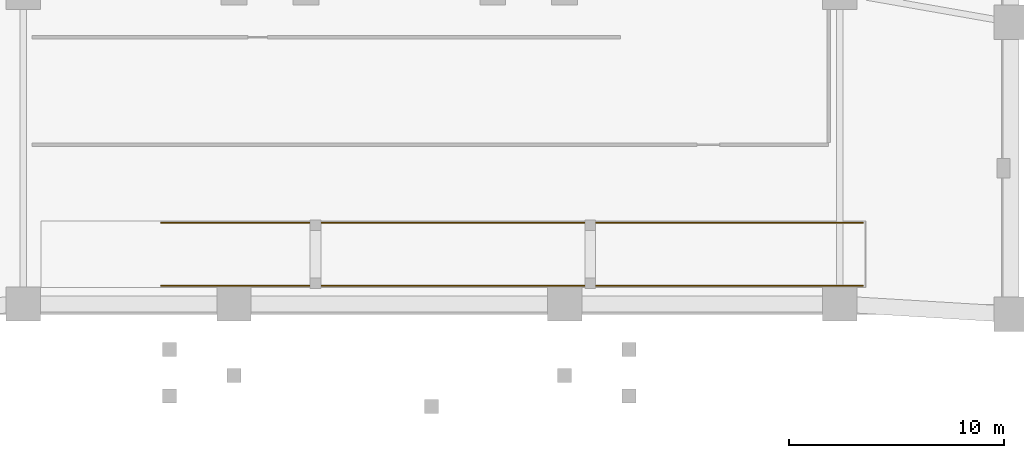
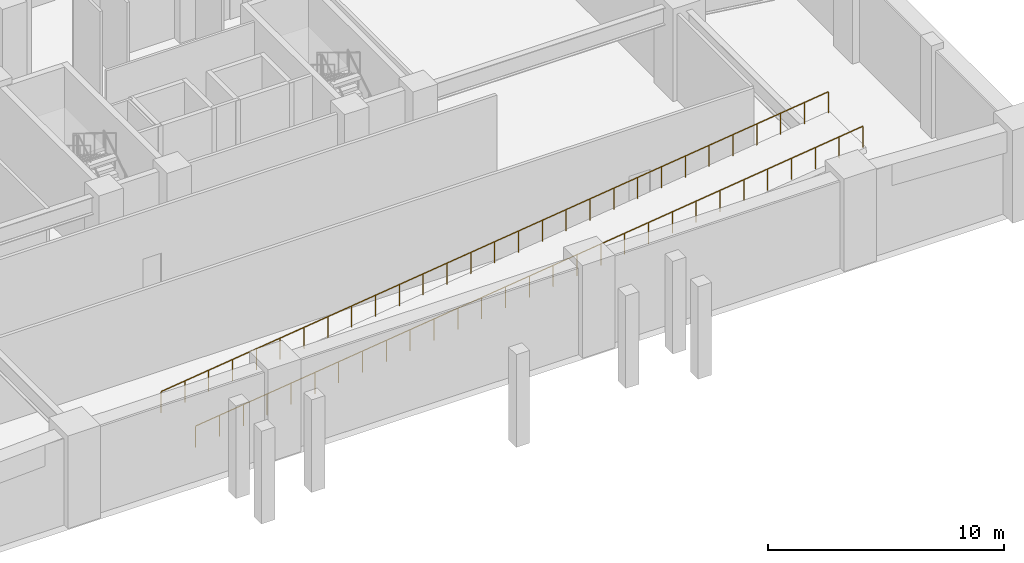
# One storey, part 6 of 8: 2 railings.
"""IFC4 building model written with IfcOpenShell, lengths in metres."""

from ifc_helpers import new_model, si_unit, derived_unit, direction, frame, origin, origin_2d, place, context, subcontext, project, spatial, circle, extrude, material, type_object, element, save


model = new_model("IFC4")

# Units and contexts
model_context = context("Model", 3, precision=1e-05, world=origin(), true_north=direction((0.0, 1.0)))
body_context = subcontext(model_context, "Body", "Model", "MODEL_VIEW")
ifc_project = project(units=[si_unit("LENGTHUNIT", "METRE"), si_unit("AREAUNIT", "SQUARE_METRE"), si_unit("VOLUMEUNIT", "CUBIC_METRE"), si_unit("PLANEANGLEUNIT", "RADIAN"), si_unit("MASSUNIT", "GRAM", prefix="KILO"), derived_unit("THERMALTRANSMITTANCEUNIT", [(si_unit("MASSUNIT", "GRAM", prefix="KILO"), 1), (si_unit("TIMEUNIT", "SECOND"), -3), (si_unit("THERMODYNAMICTEMPERATUREUNIT", "KELVIN"), -1)])], contexts=[model_context])

# Site, building, storey
site_placement = place(None, origin())
site = spatial("IfcSite", under=ifc_project, at=site_placement, CompositionType="ELEMENT")
building_placement = place(site_placement, origin())
building = spatial("IfcBuilding", under=site, at=building_placement, Name="Korrvale Station Residences", CompositionType="ELEMENT")
storey_placement = place(building_placement, frame((0.0, 0.0, -4.800048828125)))
storey = spatial("IfcBuildingStorey", under=building, at=storey_placement, Name="B01", CompositionType="ELEMENT", Elevation=-4.800048828125)

# Railings
ifc_material = material(Name="Brushed stainless-steel accessibility ramp guard-handrail", Category="steel")
railing_type = type_object("IfcRailingType", Name="RLG-RMP-1100", PredefinedType="GUARDRAIL", material=ifc_material)
railing_1_placement = place(storey_placement, frame((14.39990234375, 1.330078125, 0.699951171875)))
element("IfcRailing", 1, at=railing_1_placement, inside=storey, type_object=railing_type, Name="B01 Vehicle Ramp Sloped South Guardrail", PredefinedType="GUARDRAIL", context=body_context, shape_type="SweptSolid", body=[
    extrude(circle(Radius=0.02392578125, at=origin_2d()), frame((0.0, 0.0, 1.09619140625), z_axis=(0.992277420807, 0.0, 0.124038381787), x_axis=(0.0, 1.0, 0.0)), (0.0, 0.0, 1.0), 32.95458984375),
    extrude(circle(Radius=0.02099609375, at=origin_2d()), origin(), (0.0, 0.0, 1.0), 1.072021484375),
    extrude(circle(Radius=0.02099609375, at=origin_2d()), frame((1.16796875, 0.0, 0.14599609375)), (0.0, 0.0, 1.0), 1.072021484375),
    extrude(circle(Radius=0.02099609375, at=origin_2d()), frame((2.335693359375, 0.0, 0.2919921875)), (0.0, 0.0, 1.0), 1.072021484375),
    extrude(circle(Radius=0.02099609375, at=origin_2d()), frame((3.503662109375, 0.0, 0.43798828125)), (0.0, 0.0, 1.0), 1.072021484375),
    extrude(circle(Radius=0.02099609375, at=origin_2d()), frame((4.67138671875, 0.0, 0.583984375)), (0.0, 0.0, 1.0), 1.072021484375),
    extrude(circle(Radius=0.02099609375, at=origin_2d()), frame((5.83935546875, 0.0, 0.72998046875)), (0.0, 0.0, 1.0), 1.072021484375),
    extrude(circle(Radius=0.02099609375, at=origin_2d()), frame((7.007080078125, 0.0, 0.8759765625)), (0.0, 0.0, 1.0), 1.072021484375),
    extrude(circle(Radius=0.02099609375, at=origin_2d()), frame((8.175048828125, 0.0, 1.02197265625)), (0.0, 0.0, 1.0), 1.072021484375),
    extrude(circle(Radius=0.02099609375, at=origin_2d()), frame((9.343017578125, 0.0, 1.16796875)), (0.0, 0.0, 1.0), 1.072021484375),
    extrude(circle(Radius=0.02099609375, at=origin_2d()), frame((10.5107421875, 0.0, 1.31396484375)), (0.0, 0.0, 1.0), 1.072021484375),
    extrude(circle(Radius=0.02099609375, at=origin_2d()), frame((11.6787109375, 0.0, 1.4599609375)), (0.0, 0.0, 1.0), 1.072021484375),
    extrude(circle(Radius=0.02099609375, at=origin_2d()), frame((12.846435546875, 0.0, 1.60595703125)), (0.0, 0.0, 1.0), 1.072021484375),
    extrude(circle(Radius=0.02099609375, at=origin_2d()), frame((14.014404296875, 0.0, 1.751953125)), (0.0, 0.0, 1.0), 1.072021484375),
    extrude(circle(Radius=0.02099609375, at=origin_2d()), frame((15.18212890625, 0.0, 1.89794921875)), (0.0, 0.0, 1.0), 1.072021484375),
    extrude(circle(Radius=0.02099609375, at=origin_2d()), frame((16.35009765625, 0.0, 2.0439453125)), (0.0, 0.0, 1.0), 1.072021484375),
    extrude(circle(Radius=0.02099609375, at=origin_2d()), frame((17.51806640625, 0.0, 2.189697265625)), (0.0, 0.0, 1.0), 1.072021484375),
    extrude(circle(Radius=0.02099609375, at=origin_2d()), frame((18.685791015625, 0.0, 2.335693359375)), (0.0, 0.0, 1.0), 1.072021484375),
    extrude(circle(Radius=0.02099609375, at=origin_2d()), frame((19.853759765625, 0.0, 2.481689453125)), (0.0, 0.0, 1.0), 1.072021484375),
    extrude(circle(Radius=0.02099609375, at=origin_2d()), frame((21.021484375, 0.0, 2.627685546875)), (0.0, 0.0, 1.0), 1.072021484375),
    extrude(circle(Radius=0.02099609375, at=origin_2d()), frame((22.189453125, 0.0, 2.773681640625)), (0.0, 0.0, 1.0), 1.072021484375),
    extrude(circle(Radius=0.02099609375, at=origin_2d()), frame((23.357177734375, 0.0, 2.919677734375)), (0.0, 0.0, 1.0), 1.072021484375),
    extrude(circle(Radius=0.02099609375, at=origin_2d()), frame((24.525146484375, 0.0, 3.065673828125)), (0.0, 0.0, 1.0), 1.072021484375),
    extrude(circle(Radius=0.02099609375, at=origin_2d()), frame((25.693115234375, 0.0, 3.211669921875)), (0.0, 0.0, 1.0), 1.072021484375),
    extrude(circle(Radius=0.02099609375, at=origin_2d()), frame((26.86083984375, 0.0, 3.357666015625)), (0.0, 0.0, 1.0), 1.072021484375),
    extrude(circle(Radius=0.02099609375, at=origin_2d()), frame((28.02880859375, 0.0, 3.503662109375)), (0.0, 0.0, 1.0), 1.072021484375),
    extrude(circle(Radius=0.02099609375, at=origin_2d()), frame((29.196533203125, 0.0, 3.649658203125)), (0.0, 0.0, 1.0), 1.072021484375),
    extrude(circle(Radius=0.02099609375, at=origin_2d()), frame((30.364501953125, 0.0, 3.795654296875)), (0.0, 0.0, 1.0), 1.072021484375),
    extrude(circle(Radius=0.02099609375, at=origin_2d()), frame((31.5322265625, 0.0, 3.941650390625)), (0.0, 0.0, 1.0), 1.072021484375),
    extrude(circle(Radius=0.02099609375, at=origin_2d()), frame((32.7001953125, 0.0, 4.087646484375)), (0.0, 0.0, 1.0), 1.072021484375),
])
railing_2_placement = place(storey_placement, frame((14.39990234375, 4.27001953125, 0.699951171875)))
element("IfcRailing", 2, at=railing_2_placement, inside=storey, type_object=railing_type, Name="B01 Vehicle Ramp Sloped North Guardrail", PredefinedType="GUARDRAIL", context=body_context, shape_type="SweptSolid", body=[
    extrude(circle(Radius=0.02392578125, at=origin_2d()), frame((0.0, 0.0, 1.09619140625), z_axis=(0.992277420807, 0.0, 0.124038381787), x_axis=(0.0, 1.0, 0.0)), (0.0, 0.0, 1.0), 32.95458984375),
    extrude(circle(Radius=0.02099609375, at=origin_2d()), origin(), (0.0, 0.0, 1.0), 1.072021484375),
    extrude(circle(Radius=0.02099609375, at=origin_2d()), frame((1.16796875, 0.0, 0.14599609375)), (0.0, 0.0, 1.0), 1.072021484375),
    extrude(circle(Radius=0.02099609375, at=origin_2d()), frame((2.335693359375, 0.0, 0.2919921875)), (0.0, 0.0, 1.0), 1.072021484375),
    extrude(circle(Radius=0.02099609375, at=origin_2d()), frame((3.503662109375, 0.0, 0.43798828125)), (0.0, 0.0, 1.0), 1.072021484375),
    extrude(circle(Radius=0.02099609375, at=origin_2d()), frame((4.67138671875, 0.0, 0.583984375)), (0.0, 0.0, 1.0), 1.072021484375),
    extrude(circle(Radius=0.02099609375, at=origin_2d()), frame((5.83935546875, 0.0, 0.72998046875)), (0.0, 0.0, 1.0), 1.072021484375),
    extrude(circle(Radius=0.02099609375, at=origin_2d()), frame((7.007080078125, 0.0, 0.8759765625)), (0.0, 0.0, 1.0), 1.072021484375),
    extrude(circle(Radius=0.02099609375, at=origin_2d()), frame((8.175048828125, 0.0, 1.02197265625)), (0.0, 0.0, 1.0), 1.072021484375),
    extrude(circle(Radius=0.02099609375, at=origin_2d()), frame((9.343017578125, 0.0, 1.16796875)), (0.0, 0.0, 1.0), 1.072021484375),
    extrude(circle(Radius=0.02099609375, at=origin_2d()), frame((10.5107421875, 0.0, 1.31396484375)), (0.0, 0.0, 1.0), 1.072021484375),
    extrude(circle(Radius=0.02099609375, at=origin_2d()), frame((11.6787109375, 0.0, 1.4599609375)), (0.0, 0.0, 1.0), 1.072021484375),
    extrude(circle(Radius=0.02099609375, at=origin_2d()), frame((12.846435546875, 0.0, 1.60595703125)), (0.0, 0.0, 1.0), 1.072021484375),
    extrude(circle(Radius=0.02099609375, at=origin_2d()), frame((14.014404296875, 0.0, 1.751953125)), (0.0, 0.0, 1.0), 1.072021484375),
    extrude(circle(Radius=0.02099609375, at=origin_2d()), frame((15.18212890625, 0.0, 1.89794921875)), (0.0, 0.0, 1.0), 1.072021484375),
    extrude(circle(Radius=0.02099609375, at=origin_2d()), frame((16.35009765625, 0.0, 2.0439453125)), (0.0, 0.0, 1.0), 1.072021484375),
    extrude(circle(Radius=0.02099609375, at=origin_2d()), frame((17.51806640625, 0.0, 2.189697265625)), (0.0, 0.0, 1.0), 1.072021484375),
    extrude(circle(Radius=0.02099609375, at=origin_2d()), frame((18.685791015625, 0.0, 2.335693359375)), (0.0, 0.0, 1.0), 1.072021484375),
    extrude(circle(Radius=0.02099609375, at=origin_2d()), frame((19.853759765625, 0.0, 2.481689453125)), (0.0, 0.0, 1.0), 1.072021484375),
    extrude(circle(Radius=0.02099609375, at=origin_2d()), frame((21.021484375, 0.0, 2.627685546875)), (0.0, 0.0, 1.0), 1.072021484375),
    extrude(circle(Radius=0.02099609375, at=origin_2d()), frame((22.189453125, 0.0, 2.773681640625)), (0.0, 0.0, 1.0), 1.072021484375),
    extrude(circle(Radius=0.02099609375, at=origin_2d()), frame((23.357177734375, 0.0, 2.919677734375)), (0.0, 0.0, 1.0), 1.072021484375),
    extrude(circle(Radius=0.02099609375, at=origin_2d()), frame((24.525146484375, 0.0, 3.065673828125)), (0.0, 0.0, 1.0), 1.072021484375),
    extrude(circle(Radius=0.02099609375, at=origin_2d()), frame((25.693115234375, 0.0, 3.211669921875)), (0.0, 0.0, 1.0), 1.072021484375),
    extrude(circle(Radius=0.02099609375, at=origin_2d()), frame((26.86083984375, 0.0, 3.357666015625)), (0.0, 0.0, 1.0), 1.072021484375),
    extrude(circle(Radius=0.02099609375, at=origin_2d()), frame((28.02880859375, 0.0, 3.503662109375)), (0.0, 0.0, 1.0), 1.072021484375),
    extrude(circle(Radius=0.02099609375, at=origin_2d()), frame((29.196533203125, 0.0, 3.649658203125)), (0.0, 0.0, 1.0), 1.072021484375),
    extrude(circle(Radius=0.02099609375, at=origin_2d()), frame((30.364501953125, 0.0, 3.795654296875)), (0.0, 0.0, 1.0), 1.072021484375),
    extrude(circle(Radius=0.02099609375, at=origin_2d()), frame((31.5322265625, 0.0, 3.941650390625)), (0.0, 0.0, 1.0), 1.072021484375),
    extrude(circle(Radius=0.02099609375, at=origin_2d()), frame((32.7001953125, 0.0, 4.087646484375)), (0.0, 0.0, 1.0), 1.072021484375),
])

save(model, "model.ifc")
